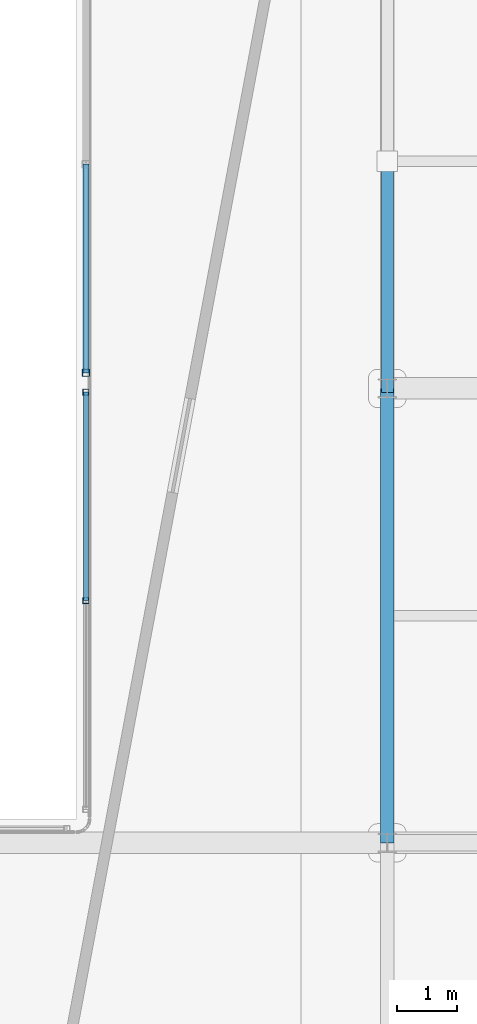
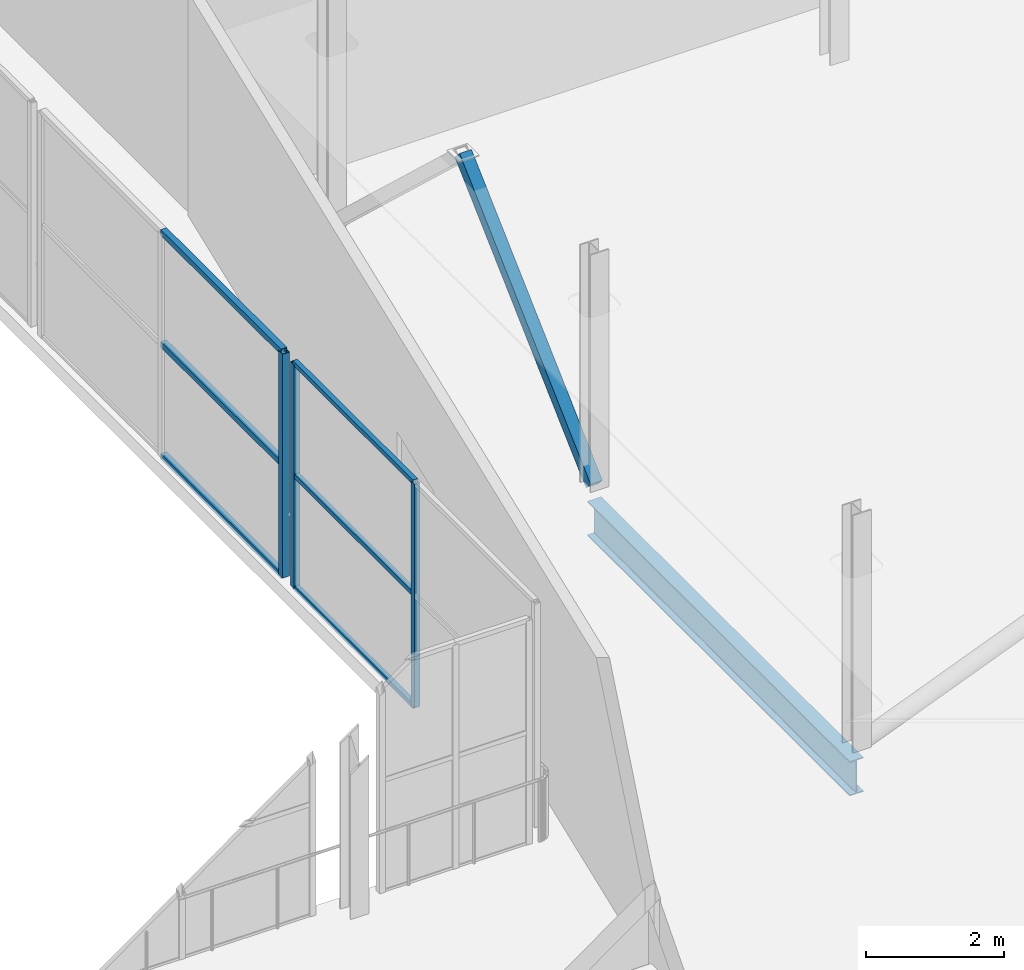
# One storey, part 93 of 151: 10 members, 1 beam, 2 elements without a shape of their own.
"""IFC4 building model written with IfcOpenShell, lengths in metres."""

from ifc_helpers import new_model, si_unit, direction, frame, origin, origin_2d, place, context, subcontext, project, spatial, hollow_rectangle, i_section, extrude, material, material_profile, profile_set, type_object, element, aggregate, save


model = new_model("IFC4")

# Units and contexts
model_context = context("Model", 3, precision=1e-05, world=origin(), true_north=direction((0.0, 1.0)))
body_context = subcontext(model_context, "Body", "Model", "MODEL_VIEW")
ifc_project = project(units=[si_unit("LENGTHUNIT", "METRE"), si_unit("AREAUNIT", "SQUARE_METRE"), si_unit("VOLUMEUNIT", "CUBIC_METRE"), si_unit("PLANEANGLEUNIT", "RADIAN"), si_unit("MASSUNIT", "GRAM", prefix="KILO")], contexts=[model_context])

# Site, building, storey
site_placement = place(None, origin())
site = spatial("IfcSite", under=ifc_project, at=site_placement, CompositionType="ELEMENT")
building_placement = place(site_placement, origin())
building = spatial("IfcBuilding", under=site, at=building_placement, Name="Zuvorla Pavilion Media Centre", CompositionType="ELEMENT")
storey_placement = place(building_placement, frame((0.0, 0.0, 13.800048828125)))
storey = spatial("IfcBuildingStorey", under=building, at=storey_placement, Name="L03", CompositionType="ELEMENT", Elevation=13.800048828125)

# Beam
ifc_material_1 = material(Name="Steel S355", Category="steel")
ifc_material_profile_1 = material_profile(ifc_material_1, i_section(OverallWidth=0.22900390625, OverallDepth=0.6123046875, WebThickness=0.011962890625, FlangeThickness=0.01953125, FilletRadius=0.0126953125, at=origin_2d()), Name="UB 610x229x125")
ifc_profile_set_1 = profile_set([ifc_material_profile_1], Name="Steel S355")
beam_type = type_object("IfcBeamType", Name="BM-UB610", PredefinedType="BEAM", material=ifc_profile_set_1)
beam_placement = place(storey_placement, frame((159.199951171875, 51.60009765625, -0.564208984375), z_axis=(0.0, 1.0, 0.0), x_axis=(-1.0, 0.0, 0.0)))
element("IfcBeam", 1, at=beam_placement, inside=storey, type_object=beam_type, Name="L03 beam B07 1223", PredefinedType="BEAM", context=body_context, shape_type="SweptSolid", body=[
    extrude(i_section(OverallWidth=0.22900390625, OverallDepth=0.6123046875, WebThickness=0.011962890625, FlangeThickness=0.01953125, FilletRadius=0.0126953125, at=origin_2d()), origin(), (0.0, 0.0, 1.0), 7.599853515625),
])

# Curtain wall, members
ifc_material_2 = material(Name="Unitised anodised aluminium and solar glass curtain wall", Category="aluminium")
curtain_wall_type_1 = type_object("IfcCurtainWallType", Name="CW-SYS-24", PredefinedType="USERDEFINED", material=ifc_material_2)
curtain_wall_1_placement = place(storey_placement, origin())
curtain_wall_1 = element("IfcCurtainWall", 2, at=curtain_wall_1_placement, inside=storey, type_object=curtain_wall_type_1, Name="L03 curtain wall CW24 187", ObjectType="CURTAIN WALL", PredefinedType="USERDEFINED")
ifc_material_3 = material(Name="Anodised aluminium 6063-T6", Category="aluminium")
ifc_material_profile_2 = material_profile(ifc_material_3, hollow_rectangle(XDim=0.10009765625, YDim=0.10009765625, WallThickness=0.00439453125, at=origin_2d()), Name="ALU MULL 100x100")
ifc_profile_set_2 = profile_set([ifc_material_profile_2], Name="Anodised aluminium 6063-T6")
member_type_1 = type_object("IfcMemberType", Name="CW-MULL-100", PredefinedType="MULLION", material=ifc_profile_set_2)
member_1_placement = place(storey_placement, frame((154.159912109375, 55.64990234375, 0.0), z_axis=(0.0, 0.0, 1.0), x_axis=(1.0, 0.0, 0.0)))
member_1 = element("IfcMember", 3, at=member_1_placement, type_object=member_type_1, Name="CW24 mullion 2", PredefinedType="MULLION", context=body_context, shape_type="SweptSolid", body=[
    extrude(hollow_rectangle(XDim=0.10009765625, YDim=0.10009765625, WallThickness=0.00439453125, at=origin_2d()), origin(), (0.0, 0.0, 1.0), 3.9599609375),
])
member_2_placement = place(storey_placement, frame((154.159912109375, 59.139892578125, 0.0), z_axis=(0.0, 0.0, 1.0), x_axis=(1.0, 0.0, 0.0)))
member_2 = element("IfcMember", 4, at=member_2_placement, type_object=member_type_1, Name="CW24 mullion 3", PredefinedType="MULLION", context=body_context, shape_type="SweptSolid", body=[
    extrude(hollow_rectangle(XDim=0.10009765625, YDim=0.10009765625, WallThickness=0.00439453125, at=origin_2d()), origin(), (0.0, 0.0, 1.0), 3.9599609375),
])

curtain_wall_type_2 = type_object("IfcCurtainWallType", Name="CW-SYS-58", PredefinedType="USERDEFINED", material=ifc_material_2)
curtain_wall_2_placement = place(storey_placement, origin())
curtain_wall_2 = element("IfcCurtainWall", 5, at=curtain_wall_2_placement, inside=storey, type_object=curtain_wall_type_2, Name="L03 curtain wall CW58 189", ObjectType="CURTAIN WALL", PredefinedType="USERDEFINED")
ifc_material_profile_3 = material_profile(ifc_material_3, hollow_rectangle(XDim=0.1201171875, YDim=0.1201171875, WallThickness=0.0048828125, at=origin_2d()), Name="ALU MULL 120x120")
ifc_profile_set_3 = profile_set([ifc_material_profile_3], Name="Anodised aluminium 6063-T6")
member_type_2 = type_object("IfcMemberType", Name="CW-MULL-120", PredefinedType="MULLION", material=ifc_profile_set_3)
member_3_placement = place(storey_placement, frame((154.159912109375, 59.4599609375, 0.0), z_axis=(0.0, 0.0, 1.0), x_axis=(1.0, 0.0, 0.0)))
member_3 = element("IfcMember", 6, at=member_3_placement, type_object=member_type_2, Name="CW58 mullion 1", PredefinedType="MULLION", context=body_context, shape_type="SweptSolid", body=[
    extrude(hollow_rectangle(XDim=0.1201171875, YDim=0.1201171875, WallThickness=0.0048828125, at=origin_2d()), origin(), (0.0, 0.0, 1.0), 3.9599609375),
])
ifc_material_profile_4 = material_profile(ifc_material_3, hollow_rectangle(XDim=0.10009765625, YDim=0.10009765625, WallThickness=0.00439453125, at=origin_2d()), Name="ALU TRAN 100x100")
ifc_profile_set_4 = profile_set([ifc_material_profile_4], Name="Anodised aluminium 6063-T6")
member_type_3 = type_object("IfcMemberType", Name="CW-TRAN-100", PredefinedType="USERDEFINED", material=ifc_profile_set_4)
member_4_placement = place(storey_placement, frame((154.159912109375, 59.4599609375, 0.0), z_axis=(0.0, 1.0, 0.0), x_axis=(-1.0, 0.0, 0.0)))
member_4 = element("IfcMember", 7, at=member_4_placement, type_object=member_type_3, Name="CW58 transom 1.1", ObjectType="TRANSOM", PredefinedType="USERDEFINED", context=body_context, shape_type="SweptSolid", body=[
    extrude(hollow_rectangle(XDim=0.10009765625, YDim=0.10009765625, WallThickness=0.00439453125, at=origin_2d()), origin(), (0.0, 0.0, 1.0), 3.489990234375),
])
member_5_placement = place(storey_placement, frame((154.159912109375, 59.4599609375, 1.97998046875), z_axis=(0.0, 1.0, 0.0), x_axis=(-1.0, 0.0, 0.0)))
member_5 = element("IfcMember", 8, at=member_5_placement, type_object=member_type_3, Name="CW58 transom 1.2", ObjectType="TRANSOM", PredefinedType="USERDEFINED", context=body_context, shape_type="SweptSolid", body=[
    extrude(hollow_rectangle(XDim=0.10009765625, YDim=0.10009765625, WallThickness=0.00439453125, at=origin_2d()), origin(), (0.0, 0.0, 1.0), 3.489990234375),
])
member_6_placement = place(storey_placement, frame((154.159912109375, 59.4599609375, 3.9599609375), z_axis=(0.0, 1.0, 0.0), x_axis=(-1.0, 0.0, 0.0)))
member_6 = element("IfcMember", 9, at=member_6_placement, type_object=member_type_3, Name="CW58 transom 1.3", ObjectType="TRANSOM", PredefinedType="USERDEFINED", context=body_context, shape_type="SweptSolid", body=[
    extrude(hollow_rectangle(XDim=0.10009765625, YDim=0.10009765625, WallThickness=0.00439453125, at=origin_2d()), origin(), (0.0, 0.0, 1.0), 3.489990234375),
])
aggregate(curtain_wall_2, [member_3, member_4, member_5, member_6])

# Member
ifc_material_profile_5 = material_profile(ifc_material_3, hollow_rectangle(XDim=0.080078125, YDim=0.080078125, WallThickness=0.00390625, at=origin_2d()), Name="ALU TRAN 80x80")
ifc_profile_set_5 = profile_set([ifc_material_profile_5], Name="Anodised aluminium 6063-T6")
member_type_4 = type_object("IfcMemberType", Name="CW-TRAN-80", PredefinedType="USERDEFINED", material=ifc_profile_set_5)
member_7_placement = place(storey_placement, frame((154.159912109375, 55.64990234375, 0.0), z_axis=(0.0, 1.0, 0.0), x_axis=(-1.0, 0.0, 0.0)))
member_7 = element("IfcMember", 10, at=member_7_placement, type_object=member_type_4, Name="CW24 transom 2.1", ObjectType="TRANSOM", PredefinedType="USERDEFINED", context=body_context, shape_type="SweptSolid", body=[
    extrude(hollow_rectangle(XDim=0.080078125, YDim=0.080078125, WallThickness=0.00390625, at=origin_2d()), origin(), (0.0, 0.0, 1.0), 3.489990234375),
])

member_8_placement = place(storey_placement, frame((154.159912109375, 55.64990234375, 1.97998046875), z_axis=(0.0, 1.0, 0.0), x_axis=(-1.0, 0.0, 0.0)))
member_8 = element("IfcMember", 11, at=member_8_placement, type_object=member_type_4, Name="CW24 transom 2.2", ObjectType="TRANSOM", PredefinedType="USERDEFINED", context=body_context, shape_type="SweptSolid", body=[
    extrude(hollow_rectangle(XDim=0.080078125, YDim=0.080078125, WallThickness=0.00390625, at=origin_2d()), origin(), (0.0, 0.0, 1.0), 3.489990234375),
])

member_9_placement = place(storey_placement, frame((154.159912109375, 55.64990234375, 3.9599609375), z_axis=(0.0, 1.0, 0.0), x_axis=(-1.0, 0.0, 0.0)))
member_9 = element("IfcMember", 12, at=member_9_placement, type_object=member_type_4, Name="CW24 transom 2.3", ObjectType="TRANSOM", PredefinedType="USERDEFINED", context=body_context, shape_type="SweptSolid", body=[
    extrude(hollow_rectangle(XDim=0.080078125, YDim=0.080078125, WallThickness=0.00390625, at=origin_2d()), origin(), (0.0, 0.0, 1.0), 3.489990234375),
])

aggregate(curtain_wall_1, [member_1, member_2, member_7, member_8, member_9])

ifc_material_profile_6 = material_profile(ifc_material_1, hollow_rectangle(XDim=0.199951171875, YDim=0.199951171875, WallThickness=0.010009765625, at=origin_2d()), Name="SHS 200x200x10")
ifc_profile_set_6 = profile_set([ifc_material_profile_6], Name="Steel S355")
member_type_5 = type_object("IfcMemberType", Name="MEM-BRC-SHS200", PredefinedType="BRACE", material=ifc_profile_set_6)
member_10_placement = place(storey_placement, frame((159.199951171875, 59.199951171875, 0.0), z_axis=(0.0, 0.7307351431, 0.682661080361), x_axis=(-1.0, 0.0, 0.0)))
element("IfcMember", 13, at=member_10_placement, inside=storey, type_object=member_type_5, Name="L03 diagonal brace BF01 855", PredefinedType="BRACE", context=body_context, shape_type="SweptSolid", body=[
    extrude(hollow_rectangle(XDim=0.199951171875, YDim=0.199951171875, WallThickness=0.010009765625, at=origin_2d()), origin(), (0.0, 0.0, 1.0), 5.2001953125),
])

save(model, "model.ifc")
